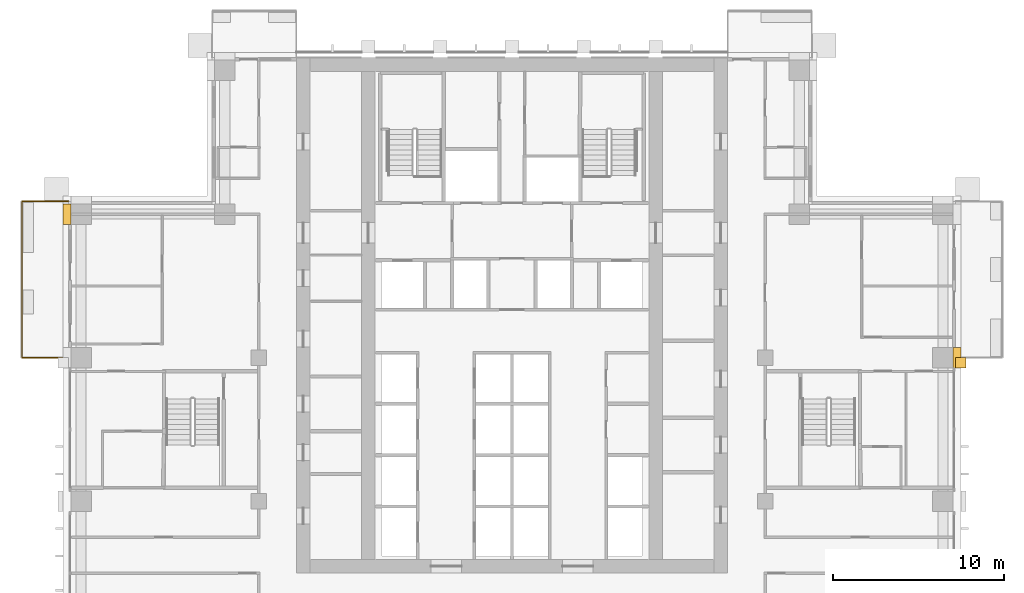
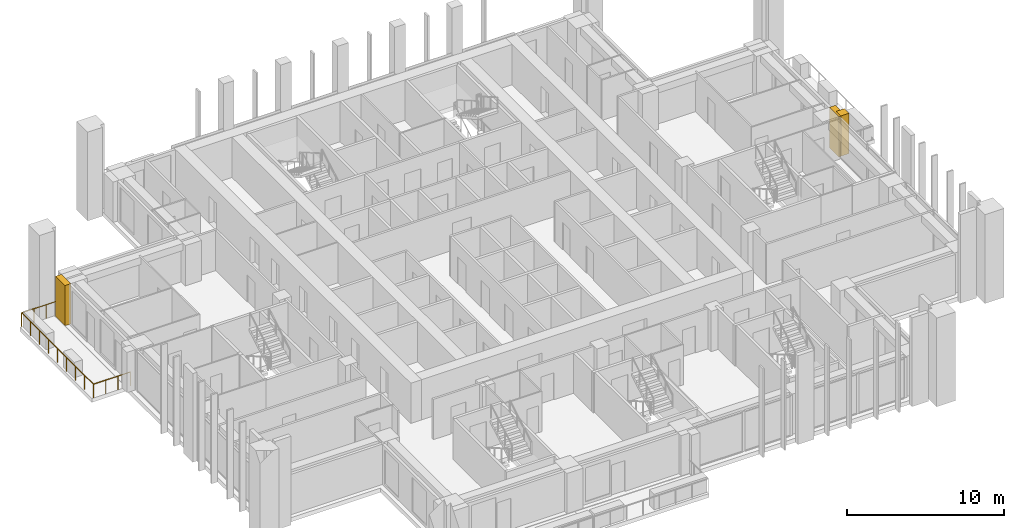
# One storey, part 15 of 17: 3 coverings, 1 railing.
"""IFC4 building model written with IfcOpenShell, lengths in metres."""

from ifc_helpers import new_model, si_unit, direction, frame, origin, origin_2d, place, context, subcontext, project, spatial, polyline, rectangle, outline, extrude, material, type_object, element, save


model = new_model("IFC4")

# Units and contexts
model_context = context("Model", 3, precision=1e-05, world=origin(), true_north=direction((0.0, 1.0)))
body_context = subcontext(model_context, "Body", "Model", "MODEL_VIEW")
ifc_project = project(units=[si_unit("LENGTHUNIT", "METRE"), si_unit("AREAUNIT", "SQUARE_METRE"), si_unit("VOLUMEUNIT", "CUBIC_METRE"), si_unit("PLANEANGLEUNIT", "RADIAN"), si_unit("MASSUNIT", "GRAM", prefix="KILO")], contexts=[model_context])

# Site, building, storey
site_placement = place(None, origin())
site = spatial("IfcSite", under=ifc_project, at=site_placement, CompositionType="ELEMENT")
building_placement = place(site_placement, origin())
building = spatial("IfcBuilding", under=site, at=building_placement, Name="Vermilion Ogive Tower", CompositionType="ELEMENT")
storey_placement = place(building_placement, frame((0.0, 0.0, 111.449951171875)))
storey = spatial("IfcBuildingStorey", under=building, at=storey_placement, Name="L28", CompositionType="ELEMENT", Elevation=111.449951171875)

# Railing
ifc_material_1 = material(Name="Stainless steel and glass", Category="steel")
railing_type = type_object("IfcRailingType", Name="Balcony guard", PredefinedType="GUARDRAIL", material=ifc_material_1)
railing_placement = place(storey_placement, frame((-25.949951171875, 13.35009765625, -0.0400390625)))
element("IfcRailing", 1, at=railing_placement, inside=storey, type_object=railing_type, Name="Guard W01", PredefinedType="GUARDRAIL", context=body_context, shape_type="SweptSolid", body=[
    extrude(rectangle(XDim=0.048095703125, YDim=0.048095703125, at=origin_2d()), frame((0.0, 0.0, 1.076171875), z_axis=(-1.0, 0.0, 0.0), x_axis=(0.0, -1.0, 0.0)), (0.0, 0.0, 1.0), 2.7041015625),
    extrude(rectangle(XDim=0.048095703125, YDim=0.048095703125, at=origin_2d()), frame((-2.7041015625, 0.0, 1.076171875), z_axis=(0.0, -1.0, 0.0), x_axis=(1.0, 0.0, 0.0)), (0.0, 0.0, 1.0), 9.150146484375),
    extrude(rectangle(XDim=0.048095703125, YDim=0.048095703125, at=origin_2d()), frame((-2.7041015625, -9.150146484375, 1.076171875), z_axis=(1.0, 0.0, 0.0), x_axis=(0.0, 1.0, 0.0)), (0.0, 0.0, 1.0), 2.7041015625),
    extrude(rectangle(XDim=0.0419921875, YDim=0.0419921875, at=origin_2d()), origin(), (0.0, 0.0, 1.0), 1.052001953125),
    extrude(rectangle(XDim=0.0419921875, YDim=0.0419921875, at=origin_2d()), frame((-0.9013671875, 0.0, 0.0)), (0.0, 0.0, 1.0), 1.052001953125),
    extrude(rectangle(XDim=0.0419921875, YDim=0.0419921875, at=origin_2d()), frame((-1.802734375, 0.0, 0.0)), (0.0, 0.0, 1.0), 1.052001953125),
    extrude(rectangle(XDim=0.0419921875, YDim=0.0419921875, at=origin_2d()), frame((-2.7041015625, 0.0, 0.0)), (0.0, 0.0, 1.0), 1.052001953125),
    extrude(rectangle(XDim=0.0419921875, YDim=0.0419921875, at=origin_2d()), frame((-2.7041015625, -1.143798828125, 0.0)), (0.0, 0.0, 1.0), 1.052001953125),
    extrude(rectangle(XDim=0.0419921875, YDim=0.0419921875, at=origin_2d()), frame((-2.7041015625, -2.28759765625, 0.0)), (0.0, 0.0, 1.0), 1.052001953125),
    extrude(rectangle(XDim=0.0419921875, YDim=0.0419921875, at=origin_2d()), frame((-2.7041015625, -3.431396484375, 0.0)), (0.0, 0.0, 1.0), 1.052001953125),
    extrude(rectangle(XDim=0.0419921875, YDim=0.0419921875, at=origin_2d()), frame((-2.7041015625, -4.5751953125, 0.0)), (0.0, 0.0, 1.0), 1.052001953125),
    extrude(rectangle(XDim=0.0419921875, YDim=0.0419921875, at=origin_2d()), frame((-2.7041015625, -5.71875, 0.0)), (0.0, 0.0, 1.0), 1.052001953125),
    extrude(rectangle(XDim=0.0419921875, YDim=0.0419921875, at=origin_2d()), frame((-2.7041015625, -6.862548828125, 0.0)), (0.0, 0.0, 1.0), 1.052001953125),
    extrude(rectangle(XDim=0.0419921875, YDim=0.0419921875, at=origin_2d()), frame((-2.7041015625, -8.00634765625, 0.0)), (0.0, 0.0, 1.0), 1.052001953125),
    extrude(rectangle(XDim=0.0419921875, YDim=0.0419921875, at=origin_2d()), frame((-2.7041015625, -9.150146484375, 0.0)), (0.0, 0.0, 1.0), 1.052001953125),
    extrude(rectangle(XDim=0.0419921875, YDim=0.0419921875, at=origin_2d()), frame((-1.802734375, -9.150146484375, 0.0)), (0.0, 0.0, 1.0), 1.052001953125),
    extrude(rectangle(XDim=0.0419921875, YDim=0.0419921875, at=origin_2d()), frame((-0.9013671875, -9.150146484375, 0.0)), (0.0, 0.0, 1.0), 1.052001953125),
    extrude(rectangle(XDim=0.0419921875, YDim=0.0419921875, at=origin_2d()), frame((0.0, -9.150146484375, 0.0)), (0.0, 0.0, 1.0), 1.052001953125),
])

# Coverings
ifc_material_2 = material(Name="Stone cladding", Category="masonry")
covering_type_1 = type_object("IfcCoveringType", Name="Stone corner buttress", PredefinedType="CLADDING", material=ifc_material_2)
covering_1_placement = place(storey_placement, origin())
element("IfcCovering", 2, at=covering_1_placement, inside=storey, type_object=covering_type_1, Name="Stone crease pier EK", PredefinedType="CLADDING", context=body_context, shape_type="SweptSolid", body=[
    extrude(outline(polyline([(26.550048828125, 3.60009765625), (26.550048828125, 4.199951171875), (25.949951171875, 4.199951171875), (25.949951171875, 3.60009765625), (26.550048828125, 3.60009765625)])), origin(), (0.0, 0.0, 1.0), 3.130126953125),
])
ifc_material_3 = material(Name="Stone cladding", Category="masonry")
covering_type_2 = type_object("IfcCoveringType", Name="Stone pier", PredefinedType="CLADDING", material=ifc_material_3)
covering_2_placement = place(storey_placement, origin())
element("IfcCovering", 3, at=covering_2_placement, inside=storey, type_object=covering_type_2, Name="Stone pier P+0252+042", PredefinedType="CLADDING", context=body_context, shape_type="SweptSolid", body=[
    extrude(outline(polyline([(25.800048828125, 4.800048828125), (25.800048828125, 4.800048828125), (26.25, 4.800048828125), (26.25, 4.199951171875), (25.949951171875, 4.199951171875), (25.949951171875, 3.60009765625), (26.25, 3.60009765625), (26.25, 3.60009765625), (25.800048828125, 3.60009765625), (25.800048828125, 3.60009765625), (25.800048828125, 4.800048828125)])), origin(), (0.0, 0.0, 1.0), 3.130126953125),
])
covering_3_placement = place(storey_placement, origin())
element("IfcCovering", 4, at=covering_3_placement, inside=storey, type_object=covering_type_2, Name="Stone pier P-0252+126W", PredefinedType="CLADDING", context=body_context, shape_type="SweptSolid", body=[
    extrude(outline(polyline([(-26.25, 13.199951171875), (-25.800048828125, 13.199951171875), (-25.800048828125, 12.0), (-26.25, 12.0), (-26.25, 13.199951171875)])), origin(), (0.0, 0.0, 1.0), 3.130126953125),
])

save(model, "model.ifc")
